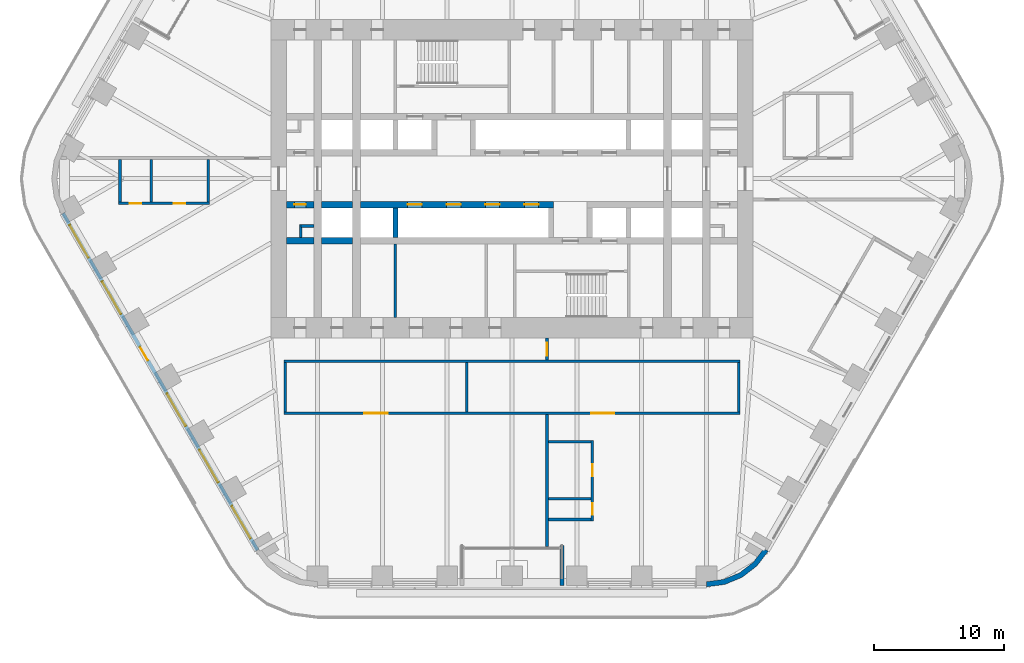
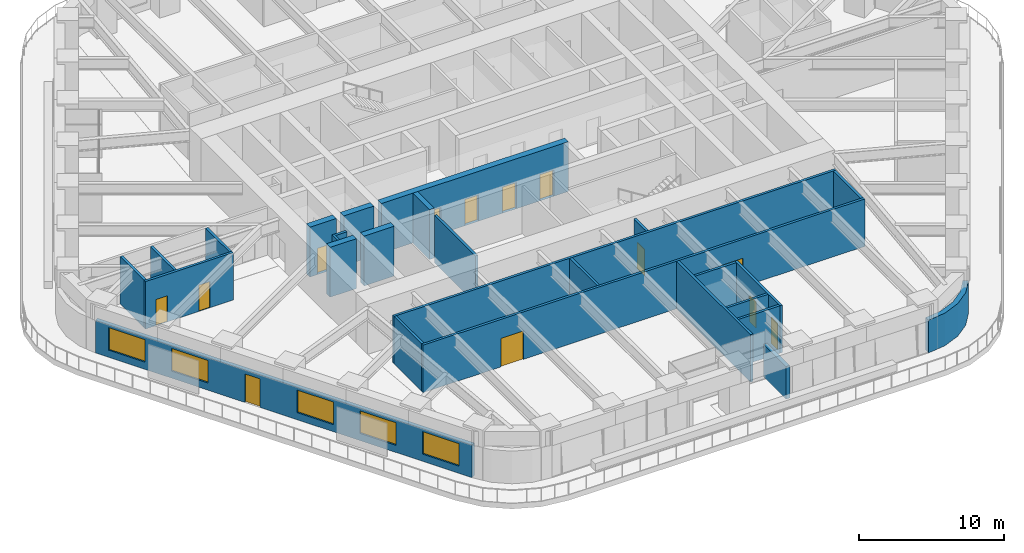
# One storey, part 17 of 24: 27 walls, 13 doors, 5 windows, 18 openings.
"""IFC4 building model written with IfcOpenShell, lengths in metres."""

import ifcopenshell
import ifcopenshell.guid

model = None  # the IFC model being written
_history = None  # IfcOwnerHistory: only IFC2X3 demands one
_inside = {}  # id of a spatial element -> (the spatial element, [elements in it])
_under = {}  # id of a project, library or spatial element -> (it, [spatial elements below it])
_declared = {}  # id of a project -> (the project, [libraries it declares])
_typed = {}  # id of a type object -> (the type object, [elements of that type])
_made_of = {}  # id of a material, layer set ... -> (it, [elements and type objects made of it])


def new_model(schema):
    """Start an empty IFC model of exactly this schema.

    Asked for "IFC4X3", IfcOpenShell would pick the latest addendum, in which some entities
    have other attributes; the version numbers below select the first issue.
    IFC2X3 requires an IfcOwnerHistory on every rooted entity: one is made here for all.
    """
    global model, _history
    if schema == "IFC4X3":
        model = ifcopenshell.file(schema_version=(4, 3, 0, 0))
    else:
        model = ifcopenshell.file(schema=schema)
    _inside.clear()
    _under.clear()
    _declared.clear()
    _typed.clear()
    _made_of.clear()
    _history = None
    if model.schema == "IFC2X3":
        org = make("IfcOrganization", Name="unknown")
        user = make(
            "IfcPersonAndOrganization",
            ThePerson=make("IfcPerson", FamilyName="unknown"),
            TheOrganization=org,
        )
        app = make(
            "IfcApplication",
            ApplicationDeveloper=org,
            Version="unknown",
            ApplicationFullName="unknown",
            ApplicationIdentifier="unknown",
        )
        _history = make(
            "IfcOwnerHistory",
            OwningUser=user,
            OwningApplication=app,
            ChangeAction="ADDED",
            CreationDate=0,
        )
    return model


def make(cls, **values):
    """One entity of the class cls with the attributes given. An attribute that is None is left unset."""
    return model.create_entity(
        cls, **{name: value for name, value in values.items() if value is not None}
    )


def rooted(cls, **values):
    """An entity with a GlobalId (a new one), such as an element, a storey or a relation."""
    return make(cls, GlobalId=ifcopenshell.guid.new(), OwnerHistory=_history, **values)


def si_unit(unit_type, name, prefix=None):
    """IfcSIUnit, for example si_unit("LENGTHUNIT", "METRE", prefix="MILLI")."""
    return make("IfcSIUnit", UnitType=unit_type, Prefix=prefix, Name=name)


def assignment(units):
    """IfcUnitAssignment: the units of a project."""
    return None if units is None else make("IfcUnitAssignment", Units=units)


def point(xyz):
    """IfcCartesianPoint."""
    return None if xyz is None else make("IfcCartesianPoint", Coordinates=xyz)


def direction(xyz):
    """IfcDirection."""
    return None if xyz is None else make("IfcDirection", DirectionRatios=xyz)


def frame(location, z_axis=None, x_axis=None):
    """IfcAxis2Placement3D, a coordinate frame: its origin and axes. An axis left out is left unset."""
    return make(
        "IfcAxis2Placement3D",
        Location=point(location),
        Axis=direction(z_axis),
        RefDirection=direction(x_axis),
    )


def frame_2d(location, x_axis=None):
    """IfcAxis2Placement2D, a coordinate frame in the plane: its origin and x axis."""
    return make(
        "IfcAxis2Placement2D", Location=point(location), RefDirection=direction(x_axis)
    )


def origin():
    """The frame at (0, 0, 0) with its axes left unset."""
    return frame((0.0, 0.0, 0.0))


def place(relative_to, where):
    """IfcLocalPlacement: puts the frame where relative to a parent placement (None: the world)."""
    return make(
        "IfcLocalPlacement", PlacementRelTo=relative_to, RelativePlacement=where
    )


def context(
    kind, dimensions, precision=None, world=None, true_north=None, identifier=None
):
    """IfcGeometricRepresentationContext, for example the 3D "Model" context."""
    return make(
        "IfcGeometricRepresentationContext",
        ContextIdentifier=identifier,
        ContextType=kind,
        CoordinateSpaceDimension=dimensions,
        Precision=precision,
        WorldCoordinateSystem=world,
        TrueNorth=true_north,
    )


def subcontext(parent, identifier, kind, view, scale=None):
    """IfcGeometricRepresentationSubContext, for example "Body" below "Model"."""
    return make(
        "IfcGeometricRepresentationSubContext",
        ContextIdentifier=identifier,
        ContextType=kind,
        ParentContext=parent,
        TargetScale=scale,
        TargetView=view,
    )


def project(units=None, contexts=None):
    """IfcProject with its units and contexts."""
    return rooted(
        "IfcProject",
        Name="project",
        RepresentationContexts=contexts,
        UnitsInContext=assignment(units),
    )


def spatial(cls, under=None, at=None, **own):
    """A site, building, storey or space (cls), placed at a placement, below another one or the project."""
    s = rooted(cls, ObjectPlacement=at, **own)
    if under is not None:
        _under.setdefault(under.id(), (under, []))[1].append(s)
    return s


def polyline(points):
    """IfcPolyline through the points."""
    return make("IfcPolyline", Points=[point(p) for p in points])


def profile(cls, at=None, kind="AREA", **sizes):
    """A parametric profile (cls). Its sizes go by their IFC names, for example OverallWidth=200.0."""
    return make(cls, ProfileType=kind, Position=at, **sizes)


def rectangle(**sizes):
    """IfcRectangleProfileDef."""
    return profile("IfcRectangleProfileDef", **sizes)


def outline(outer, holes=None, kind="AREA"):
    """IfcArbitraryClosedProfileDef: a profile drawn as a closed curve; with holes, ...WithVoids."""
    if holes is None:
        return make("IfcArbitraryClosedProfileDef", ProfileType=kind, OuterCurve=outer)
    return make(
        "IfcArbitraryProfileDefWithVoids",
        ProfileType=kind,
        OuterCurve=outer,
        InnerCurves=holes,
    )


def extrude(swept, where, along, depth):
    """IfcExtrudedAreaSolid: the profile swept, set in the frame where, extruded along a direction by depth."""
    return make(
        "IfcExtrudedAreaSolid",
        SweptArea=swept,
        Position=where,
        ExtrudedDirection=direction(along),
        Depth=depth,
    )


def shape(context_of_items, identifier, shape_type, items):
    """IfcShapeRepresentation: the items that make up one representation, for example the "Body"."""
    return make(
        "IfcShapeRepresentation",
        ContextOfItems=context_of_items,
        RepresentationIdentifier=identifier,
        RepresentationType=shape_type,
        Items=items,
    )


def material(Name=None, Category=None):
    """IfcMaterial."""
    return make("IfcMaterial", Name=Name, Category=Category)


def layer(
    of_material, thickness, ventilated=None, Name=None, Category=None, Priority=None
):
    """IfcMaterialLayer: one layer of a wall or slab, of a material (None: an air gap)."""
    return make(
        "IfcMaterialLayer",
        Material=of_material,
        LayerThickness=thickness,
        IsVentilated=ventilated,
        Name=Name,
        Category=Category,
        Priority=Priority,
    )


def layer_set(layers, Name=None):
    """IfcMaterialLayerSet."""
    return make("IfcMaterialLayerSet", MaterialLayers=layers, LayerSetName=Name)


def made_of(thing, what):
    """Note that an element or type object is made of a material, layer set ...; save() writes the relation."""
    if what is not None:
        _made_of.setdefault(what.id(), (what, []))[1].append(thing)
    return thing


def type_object(cls, material=None, **own):
    """A type object (cls), such as IfcWallType, which elements share."""
    return made_of(rooted(cls, **own), material)


def element(
    cls,
    number,
    at=None,
    inside=None,
    cuts=None,
    type_object=None,
    material=None,
    context=None,
    identifier="Body",
    shape_type=None,
    held_by="IfcProductDefinitionShape",
    body=None,
    shapes=None,
    **own,
):
    """One element of the class cls, such as IfcWall. Its Tag is "e" and its number.

    at: its placement. inside: the storey or other place that contains it. cuts: it is an
    opening in that element (IfcRelVoidsElement). A single representation is given by context,
    identifier, shape_type and body (its items); several are given by shapes. held_by: the class
    of the entity that holds the representations. save() writes the other relations.
    """
    e = rooted(cls, Tag="e%d" % number, ObjectPlacement=at, **own)
    if body is not None:
        shapes = [shape(context, identifier, shape_type, body)]
    if shapes is not None:
        e.Representation = make(held_by, Representations=shapes)
    if inside is not None:
        _inside.setdefault(inside.id(), (inside, []))[1].append(e)
    if cuts is not None:
        rooted(
            "IfcRelVoidsElement", RelatingBuildingElement=cuts, RelatedOpeningElement=e
        )
    if type_object is not None:
        _typed.setdefault(type_object.id(), (type_object, []))[1].append(e)
    return made_of(e, material)


def fill(opening, filler):
    """IfcRelFillsElement: the door or window that sits in an opening."""
    return rooted(
        "IfcRelFillsElement",
        RelatingOpeningElement=opening,
        RelatedBuildingElement=filler,
    )


def aggregate(whole, parts):
    """IfcRelAggregates: a whole, such as a stair, and the parts it consists of."""
    return rooted("IfcRelAggregates", RelatingObject=whole, RelatedObjects=parts)


def save(model, path):
    """Write the relations noted so far, then the file.

    IfcRelAggregates (storeys below a building ...), IfcRelContainedInSpatialStructure (elements
    in a storey), IfcRelDefinesByType, IfcRelAssociatesMaterial and IfcRelDeclares: one each for
    every whole, place, type object, material and project.
    """
    for whole, parts in _under.values():
        aggregate(whole, parts)
    for where, things in _inside.values():
        rooted(
            "IfcRelContainedInSpatialStructure",
            RelatedElements=things,
            RelatingStructure=where,
        )
    for kind, things in _typed.values():
        rooted("IfcRelDefinesByType", RelatedObjects=things, RelatingType=kind)
    for what, things in _made_of.values():
        rooted("IfcRelAssociatesMaterial", RelatedObjects=things, RelatingMaterial=what)
    for by, libraries in _declared.values():
        rooted("IfcRelDeclares", RelatingContext=by, RelatedDefinitions=libraries)
    model.write(path)


model = new_model("IFC4")

# Units and contexts
model_context = context("Model", 3, precision=1e-05, world=origin(), true_north=direction((0.0, 1.0)))
body_context = subcontext(model_context, "Body", "Model", "MODEL_VIEW")
ifc_project = project(units=[si_unit("LENGTHUNIT", "METRE"), si_unit("AREAUNIT", "SQUARE_METRE"), si_unit("VOLUMEUNIT", "CUBIC_METRE"), si_unit("PLANEANGLEUNIT", "RADIAN"), si_unit("MASSUNIT", "GRAM", prefix="KILO")], contexts=[model_context])

# Site, building, storey
site_placement = place(None, origin())
site = spatial("IfcSite", under=ifc_project, at=site_placement, CompositionType="ELEMENT")
building_placement = place(site_placement, origin())
building = spatial("IfcBuilding", under=site, at=building_placement, Name="Tarfa Lantern Tower", CompositionType="ELEMENT")
storey_placement = place(building_placement, frame((0.0, 0.0, 148.89990234375)))
storey = spatial("IfcBuildingStorey", under=building, at=storey_placement, Name="L33", CompositionType="ELEMENT", Elevation=148.89990234375)

# Wall, openings, door, windows
ifc_material_1 = material(Name="Limestone cladding on blockwork", Category="masonry")
ifc_layer_1 = layer(ifc_material_1, 0.300048828125)
ifc_layer_set_1 = layer_set([ifc_layer_1], Name="EW1 STONE-CLAD WALL 300")
wall_type_1 = type_object("IfcWallType", Name="EW1 STONE-CLAD WALL 300", PredefinedType="SOLIDWALL", material=ifc_layer_set_1)
wall_1_placement = place(storey_placement, frame((-34.655517578125, -2.675048828125, 0.0), z_axis=(0.0, 0.0, 1.0), x_axis=(0.500003084452, -0.866023622968, 0.0)))
wall_1 = element("IfcWall", 1, at=wall_1_placement, inside=storey, type_object=wall_type_1, Name="Stone wall SW", PredefinedType="SOLIDWALL", context=body_context, shape_type="SweptSolid", body=[
    extrude(rectangle(XDim=30.022216796875, YDim=0.300048828125, at=frame_2d((15.01123046875, 0.0))), origin(), (0.0, 0.0, 1.0), 2.75),
])
opening_1_placement = place(wall_1_placement, frame((1.0517578125, 0.0, 0.60009765625)))
opening_1 = element("IfcOpeningElement", 2, at=opening_1_placement, cuts=wall_1, Name="Opening W9", PredefinedType="OPENING", context=body_context, shape_type="SweptSolid", body=[
    extrude(rectangle(XDim=2.89990234375, YDim=1.89990234375, at=frame_2d((1.449951171875, 0.949951171875))), frame((0.0, 0.159912109375, 0.0), z_axis=(0.0, -1.0, 0.0), x_axis=(1.0, 0.0, 0.0)), (0.0, 0.0, 1.0), 0.320068359375),
])
opening_2_placement = place(wall_1_placement, frame((6.0556640625, 0.0, 0.60009765625)))
opening_2 = element("IfcOpeningElement", 3, at=opening_2_placement, cuts=wall_1, Name="Opening W9", PredefinedType="OPENING", context=body_context, shape_type="SweptSolid", body=[
    extrude(rectangle(XDim=2.89990234375, YDim=1.89990234375, at=frame_2d((1.449951171875, 0.949951171875))), frame((0.0, 0.159912109375, 0.0), z_axis=(0.0, -1.0, 0.0), x_axis=(1.0, 0.0, 0.0)), (0.0, 0.0, 1.0), 0.320068359375),
])
opening_3_placement = place(wall_1_placement, frame((11.9091796875, 0.0, 0.0)))
opening_3 = element("IfcOpeningElement", 4, at=opening_3_placement, cuts=wall_1, Name="Opening D50", PredefinedType="OPENING", context=body_context, shape_type="SweptSolid", body=[
    extrude(rectangle(XDim=1.199951171875, YDim=2.39990234375, at=frame_2d((0.60009765625, 1.199951171875))), frame((0.0, 0.159912109375, 0.0), z_axis=(0.0, -1.0, 0.0), x_axis=(1.0, 0.0, 0.0)), (0.0, 0.0, 1.0), 0.320068359375),
])
opening_4_placement = place(wall_1_placement, frame((16.06298828125, 0.0, 0.60009765625)))
opening_4 = element("IfcOpeningElement", 5, at=opening_4_placement, cuts=wall_1, Name="Opening W9", PredefinedType="OPENING", context=body_context, shape_type="SweptSolid", body=[
    extrude(rectangle(XDim=2.89990234375, YDim=1.89990234375, at=frame_2d((1.449951171875, 0.949951171875))), frame((0.0, 0.159912109375, 0.0), z_axis=(0.0, -1.0, 0.0), x_axis=(1.0, 0.0, 0.0)), (0.0, 0.0, 1.0), 0.320068359375),
])
opening_5_placement = place(wall_1_placement, frame((21.066650390625, 0.0, 0.60009765625)))
opening_5 = element("IfcOpeningElement", 6, at=opening_5_placement, cuts=wall_1, Name="Opening W9", PredefinedType="OPENING", context=body_context, shape_type="SweptSolid", body=[
    extrude(rectangle(XDim=2.89990234375, YDim=1.89990234375, at=frame_2d((1.449951171875, 0.949951171875))), frame((0.0, 0.159912109375, 0.0), z_axis=(0.0, -1.0, 0.0), x_axis=(1.0, 0.0, 0.0)), (0.0, 0.0, 1.0), 0.320068359375),
])
opening_6_placement = place(wall_1_placement, frame((26.0703125, 0.0, 0.60009765625)))
opening_6 = element("IfcOpeningElement", 7, at=opening_6_placement, cuts=wall_1, Name="Opening W9", PredefinedType="OPENING", context=body_context, shape_type="SweptSolid", body=[
    extrude(rectangle(XDim=2.89990234375, YDim=1.89990234375, at=frame_2d((1.449951171875, 0.949951171875))), frame((0.0, 0.159912109375, 0.0), z_axis=(0.0, -1.0, 0.0), x_axis=(1.0, 0.0, 0.0)), (0.0, 0.0, 1.0), 0.320068359375),
])
ifc_material_2 = material(Name="Aluminium framed glazed door", Category="aluminium")
door_type_1 = type_object("IfcDoorType", Name="BE3 BALCONY DOOR 1200x2400", OperationType="SINGLE_SWING_RIGHT", PredefinedType="DOOR", material=ifc_material_2)
door_1_placement = place(opening_3_placement, origin())
door_1 = element("IfcDoor", 8, at=door_1_placement, inside=storey, type_object=door_type_1, Name="Balcony door SW", OperationType="SINGLE_SWING_RIGHT", OverallHeight=2.39990234375, OverallWidth=1.199951171875, PredefinedType="DOOR", context=body_context, shape_type="SweptSolid", body=[
    extrude(rectangle(XDim=1.199951171875, YDim=2.39990234375, at=frame_2d((0.60009765625, 1.199951171875))), frame((0.0, 0.02490234375, 0.0), z_axis=(0.0, -1.0, 0.0), x_axis=(1.0, 0.0, 0.0)), (0.0, 0.0, 1.0), 0.050048828125),
])
fill(opening_3, door_1)
ifc_material_3 = material(Name="Aluminium frame, double glazed", Category="aluminium")
window_type = type_object("IfcWindowType", Name="W9 FULL-HEIGHT GLAZING 2900x1900", PartitioningType="SINGLE_PANEL", PredefinedType="WINDOW", material=ifc_material_3)
window_1_placement = place(opening_1_placement, origin())
window_1 = element("IfcWindow", 9, at=window_1_placement, inside=storey, type_object=window_type, Name="Window SW 1", OverallHeight=1.89990234375, OverallWidth=2.89990234375, PartitioningType="SINGLE_PANEL", PredefinedType="WINDOW", context=body_context, shape_type="SweptSolid", body=[
    extrude(rectangle(XDim=2.89990234375, YDim=1.89990234375, at=frame_2d((1.449951171875, 0.949951171875))), frame((0.0, 0.030029296875, 0.0), z_axis=(0.0, -1.0, 0.0), x_axis=(1.0, 0.0, 0.0)), (0.0, 0.0, 1.0), 0.06005859375),
])
fill(opening_1, window_1)
window_2_placement = place(opening_2_placement, origin())
window_2 = element("IfcWindow", 10, at=window_2_placement, inside=storey, type_object=window_type, Name="Window SW 2", OverallHeight=1.89990234375, OverallWidth=2.89990234375, PartitioningType="SINGLE_PANEL", PredefinedType="WINDOW", context=body_context, shape_type="SweptSolid", body=[
    extrude(rectangle(XDim=2.89990234375, YDim=1.89990234375, at=frame_2d((1.449951171875, 0.949951171875))), frame((0.0, 0.030029296875, 0.0), z_axis=(0.0, -1.0, 0.0), x_axis=(1.0, 0.0, 0.0)), (0.0, 0.0, 1.0), 0.06005859375),
])
fill(opening_2, window_2)
window_3_placement = place(opening_4_placement, origin())
window_3 = element("IfcWindow", 11, at=window_3_placement, inside=storey, type_object=window_type, Name="Window SW 4", OverallHeight=1.89990234375, OverallWidth=2.89990234375, PartitioningType="SINGLE_PANEL", PredefinedType="WINDOW", context=body_context, shape_type="SweptSolid", body=[
    extrude(rectangle(XDim=2.89990234375, YDim=1.89990234375, at=frame_2d((1.449951171875, 0.949951171875))), frame((0.0, 0.030029296875, 0.0), z_axis=(0.0, -1.0, 0.0), x_axis=(1.0, 0.0, 0.0)), (0.0, 0.0, 1.0), 0.06005859375),
])
fill(opening_4, window_3)
window_4_placement = place(opening_5_placement, origin())
window_4 = element("IfcWindow", 12, at=window_4_placement, inside=storey, type_object=window_type, Name="Window SW 5", OverallHeight=1.89990234375, OverallWidth=2.89990234375, PartitioningType="SINGLE_PANEL", PredefinedType="WINDOW", context=body_context, shape_type="SweptSolid", body=[
    extrude(rectangle(XDim=2.89990234375, YDim=1.89990234375, at=frame_2d((1.449951171875, 0.949951171875))), frame((0.0, 0.030029296875, 0.0), z_axis=(0.0, -1.0, 0.0), x_axis=(1.0, 0.0, 0.0)), (0.0, 0.0, 1.0), 0.06005859375),
])
fill(opening_5, window_4)
window_5_placement = place(opening_6_placement, origin())
window_5 = element("IfcWindow", 13, at=window_5_placement, inside=storey, type_object=window_type, Name="Window SW 6", OverallHeight=1.89990234375, OverallWidth=2.89990234375, PartitioningType="SINGLE_PANEL", PredefinedType="WINDOW", context=body_context, shape_type="SweptSolid", body=[
    extrude(rectangle(XDim=2.89990234375, YDim=1.89990234375, at=frame_2d((1.449951171875, 0.949951171875))), frame((0.0, 0.030029296875, 0.0), z_axis=(0.0, -1.0, 0.0), x_axis=(1.0, 0.0, 0.0)), (0.0, 0.0, 1.0), 0.06005859375),
])
fill(opening_6, window_5)

# Walls
wall_2_placement = place(storey_placement, frame((3.853759765625, -31.39990234375, 0.0), z_axis=(0.0, 0.0, 1.0), x_axis=(0.0, 1.0, 0.0)))
element("IfcWall", 14, at=wall_2_placement, inside=storey, type_object=wall_type_1, Name="Loggia return S 2", PredefinedType="SOLIDWALL", context=body_context, shape_type="SweptSolid", body=[
    extrude(rectangle(XDim=3.099853515625, YDim=0.300048828125, at=frame_2d((1.5498046875, 0.0))), origin(), (0.0, 0.0, 1.0), 2.75),
])
ifc_layer_2 = layer(ifc_material_1, 0.39990234375)
ifc_layer_set_2 = layer_set([ifc_layer_2], Name="EW2 CURVED STONE CORNER 400")
wall_type_2 = type_object("IfcWallType", Name="EW2 CURVED STONE CORNER 400", PredefinedType="SOLIDWALL", material=ifc_layer_set_2)
wall_3_placement = place(storey_placement, origin())
element("IfcWall", 15, at=wall_3_placement, inside=storey, type_object=wall_type_2, Name="Stone corner S-SE", PredefinedType="SOLIDWALL", context=body_context, shape_type="SweptSolid", body=[
    extrude(outline(polyline([(15.010986328125, -31.5), (16.4345703125, -31.3125), (17.760986328125, -30.76318359375), (18.900146484375, -29.88916015625), (19.774169921875, -28.75), (19.427734375, -28.550048828125), (18.617431640625, -29.606201171875), (17.56103515625, -30.416748046875), (16.3310546875, -30.92626953125), (15.010986328125, -31.10009765625), (15.010986328125, -31.5)])), origin(), (0.0, 0.0, 1.0), 2.75),
])
ifc_material_4 = material(Name="Concrete blockwork", Category="masonry")
ifc_layer_3 = layer(ifc_material_4, 0.199951171875)
ifc_layer_set_3 = layer_set([ifc_layer_3], Name="IW1 BLOCKWORK PARTITION 200 EI 120")
wall_type_3 = type_object("IfcWallType", Name="IW1 BLOCKWORK PARTITION 200 EI 120", PredefinedType="PARTITIONING", material=ifc_layer_set_3)
wall_4_placement = place(storey_placement, frame((-9.0, -5.050048828125, 0.0), z_axis=(0.0, 0.0, 1.0), x_axis=(0.0, -1.0, 0.0)))
element("IfcWall", 16, at=wall_4_placement, inside=storey, type_object=wall_type_3, Name="Core partition", PredefinedType="PARTITIONING", context=body_context, shape_type="SweptSolid", body=[
    extrude(rectangle(XDim=5.64990234375, YDim=0.199951171875, at=frame_2d((2.824951171875, 0.0))), origin(), (0.0, 0.0, 1.0), 4.0),
])
for number, where, z_axis, x_axis, name in (
    (17, (-15.300048828125, -3.64990234375, 0.0), (0.0, 0.0, 1.0), (-1.0, 0.0, 0.0), "Core partition"),
    (18, (-16.300048828125, -3.550048828125, 0.0), (0.0, 0.0, 1.0), (0.0, -1.0, 0.0), "Core partition"),
):
    element("IfcWall", number, at=place(storey_placement, frame(where, z_axis=z_axis, x_axis=x_axis)), inside=storey, type_object=wall_type_3, Name=name, PredefinedType="PARTITIONING", context=body_context, shape_type="SweptSolid", body=[
        extrude(rectangle(XDim=1.0, YDim=0.199951171875, at=frame_2d((0.5, 0.0))), origin(), (0.0, 0.0, 1.0), 4.0),
    ])
ifc_material_5 = material(Name="Gypsum board on steel studs", Category="steel")
ifc_layer_4 = layer(ifc_material_5, 0.2099609375)
ifc_layer_set_4 = layer_set([ifc_layer_4], Name="IW2 ACOUSTIC PARTITION 200")
wall_type_4 = type_object("IfcWallType", Name="IW2 ACOUSTIC PARTITION 200", PredefinedType="PARTITIONING", material=ifc_layer_set_4)
wall_5_placement = place(storey_placement, frame((17.60009765625, -14.10009765625, 0.0), z_axis=(0.0, 0.0, 1.0), x_axis=(-1.0, 0.0, 0.0)))
element("IfcWall", 19, at=wall_5_placement, inside=storey, type_object=wall_type_4, Name="Partition", PredefinedType="PARTITIONING", context=body_context, shape_type="SweptSolid", body=[
    extrude(rectangle(XDim=35.2001953125, YDim=0.199951171875, at=frame_2d((17.60009765625, 0.0))), origin(), (0.0, 0.0, 1.0), 4.0),
])

# Wall, openings, doors
wall_6_placement = place(storey_placement, frame((17.60009765625, -18.10009765625, 0.0), z_axis=(0.0, 0.0, 1.0), x_axis=(-1.0, 0.0, 0.0)))
wall_6 = element("IfcWall", 20, at=wall_6_placement, inside=storey, type_object=wall_type_4, Name="Partition", PredefinedType="PARTITIONING", context=body_context, shape_type="SweptSolid", body=[
    extrude(rectangle(XDim=35.2001953125, YDim=0.199951171875, at=frame_2d((17.60009765625, 0.0))), origin(), (0.0, 0.0, 1.0), 4.0),
])
opening_7_placement = place(wall_6_placement, frame((9.699951171875, 0.0, 0.0)))
opening_7 = element("IfcOpeningElement", 21, at=opening_7_placement, cuts=wall_6, Name="Opening D39", PredefinedType="OPENING", context=body_context, shape_type="SweptSolid", body=[
    extrude(rectangle(XDim=1.800048828125, YDim=2.39990234375, at=frame_2d((0.89990234375, 1.199951171875))), frame((0.0, 0.10986328125, 0.0), z_axis=(0.0, -1.0, 0.0), x_axis=(1.0, 0.0, 0.0)), (0.0, 0.0, 1.0), 0.219970703125),
])
opening_8_placement = place(wall_6_placement, frame((27.199951171875, 0.0, 0.0)))
opening_8 = element("IfcOpeningElement", 22, at=opening_8_placement, cuts=wall_6, Name="Opening D40", PredefinedType="OPENING", context=body_context, shape_type="SweptSolid", body=[
    extrude(rectangle(XDim=1.800048828125, YDim=2.39990234375, at=frame_2d((0.89990234375, 1.199951171875))), frame((0.0, 0.10986328125, 0.0), z_axis=(0.0, -1.0, 0.0), x_axis=(1.0, 0.0, 0.0)), (0.0, 0.0, 1.0), 0.219970703125),
])
ifc_material_6 = material(Name="Timber door", Category="wood")
door_type_2 = type_object("IfcDoorType", Name="DR2 ROOM DOOR 1800x2400", OperationType="DOUBLE_DOOR_SINGLE_SWING", PredefinedType="DOOR", material=ifc_material_6)
door_2_placement = place(opening_7_placement, frame((1.800048828125, 0.0, 0.0), z_axis=(0.0, 0.0, 1.0), x_axis=(-1.0, 0.0, 0.0)))
door_2 = element("IfcDoor", 23, at=door_2_placement, inside=storey, type_object=door_type_2, Name="Pantry door", OperationType="DOUBLE_DOOR_SINGLE_SWING", OverallHeight=2.39990234375, OverallWidth=1.800048828125, PredefinedType="DOOR", context=body_context, shape_type="SweptSolid", body=[
    extrude(rectangle(XDim=1.800048828125, YDim=2.39990234375, at=frame_2d((0.89990234375, 1.199951171875))), frame((0.0, 0.02490234375, 0.0), z_axis=(0.0, -1.0, 0.0), x_axis=(1.0, 0.0, 0.0)), (0.0, 0.0, 1.0), 0.050048828125),
])
fill(opening_7, door_2)
door_3_placement = place(opening_8_placement, frame((1.800048828125, 0.0, 0.0), z_axis=(0.0, 0.0, 1.0), x_axis=(-1.0, 0.0, 0.0)))
door_3 = element("IfcDoor", 24, at=door_3_placement, inside=storey, type_object=door_type_2, Name="Print room door", OperationType="DOUBLE_DOOR_SINGLE_SWING", OverallHeight=2.39990234375, OverallWidth=1.800048828125, PredefinedType="DOOR", context=body_context, shape_type="SweptSolid", body=[
    extrude(rectangle(XDim=1.800048828125, YDim=2.39990234375, at=frame_2d((0.89990234375, 1.199951171875))), frame((0.0, 0.02490234375, 0.0), z_axis=(0.0, -1.0, 0.0), x_axis=(1.0, 0.0, 0.0)), (0.0, 0.0, 1.0), 0.050048828125),
])
fill(opening_8, door_3)

# Walls
for number, where, z_axis, x_axis, name in (
    (25, (17.5, -14.199951171875, 0.0), (0.0, 0.0, 1.0), (0.0, -1.0, 0.0), "Partition"),
    (26, (-3.5, -14.199951171875, 0.0), (0.0, 0.0, 1.0), (0.0, -1.0, 0.0), "Partition"),
    (27, (-17.5, -14.199951171875, 0.0), (0.0, 0.0, 1.0), (0.0, -1.0, 0.0), "Partition"),
):
    element("IfcWall", number, at=place(storey_placement, frame(where, z_axis=z_axis, x_axis=x_axis)), inside=storey, type_object=wall_type_4, Name=name, PredefinedType="PARTITIONING", context=body_context, shape_type="SweptSolid", body=[
        extrude(rectangle(XDim=3.800048828125, YDim=0.199951171875, at=frame_2d((1.89990234375, 0.0))), origin(), (0.0, 0.0, 1.0), 4.0),
    ])

# Wall, opening, door
wall_7_placement = place(storey_placement, frame((2.699951171875, -12.300048828125, 0.0), z_axis=(0.0, 0.0, 1.0), x_axis=(0.0, -1.0, 0.0)))
wall_7 = element("IfcWall", 28, at=wall_7_placement, inside=storey, type_object=wall_type_4, Name="Partition", PredefinedType="PARTITIONING", context=body_context, shape_type="SweptSolid", body=[
    extrude(rectangle(XDim=1.699951171875, YDim=0.199951171875, at=frame_2d((0.85009765625, 0.0))), origin(), (0.0, 0.0, 1.0), 4.0),
])
opening_9_placement = place(wall_7_placement, frame((0.35009765625, 0.0, 0.0)))
opening_9 = element("IfcOpeningElement", 29, at=opening_9_placement, cuts=wall_7, Name="Opening D46", PredefinedType="OPENING", context=body_context, shape_type="SweptSolid", body=[
    extrude(rectangle(XDim=1.0, YDim=2.199951171875, at=frame_2d((0.5, 1.10009765625))), frame((0.0, 0.10986328125, 0.0), z_axis=(0.0, -1.0, 0.0), x_axis=(1.0, 0.0, 0.0)), (0.0, 0.0, 1.0), 0.219970703125),
])
door_type_3 = type_object("IfcDoorType", Name="DR1 ROOM DOOR 1000x2200", OperationType="SINGLE_SWING_LEFT", PredefinedType="DOOR", material=ifc_material_6)
door_4_placement = place(opening_9_placement, origin())
door_4 = element("IfcDoor", 30, at=door_4_placement, inside=storey, type_object=door_type_3, Name="Zone door", OperationType="SINGLE_SWING_LEFT", OverallHeight=2.199951171875, OverallWidth=1.0, PredefinedType="DOOR", context=body_context, shape_type="SweptSolid", body=[
    extrude(rectangle(XDim=1.0, YDim=2.199951171875, at=frame_2d((0.5, 1.10009765625))), frame((0.0, 0.02490234375, 0.0), z_axis=(0.0, -1.0, 0.0), x_axis=(1.0, 0.0, 0.0)), (0.0, 0.0, 1.0), 0.050048828125),
])
fill(opening_9, door_4)

# Wall
wall_8_placement = place(storey_placement, frame((2.699951171875, -18.199951171875, 0.0), z_axis=(0.0, 0.0, 1.0), x_axis=(0.0, -1.0, 0.0)))
element("IfcWall", 31, at=wall_8_placement, inside=storey, type_object=wall_type_4, Name="Partition", PredefinedType="PARTITIONING", context=body_context, shape_type="SweptSolid", body=[
    extrude(rectangle(XDim=10.199951171875, YDim=0.199951171875, at=frame_2d((5.10009765625, 0.0))), origin(), (0.0, 0.0, 1.0), 4.0),
])

# Wall, openings, doors
wall_9_placement = place(storey_placement, frame((6.199951171875, -20.199951171875, 0.0), z_axis=(0.0, 0.0, 1.0), x_axis=(0.0, -1.0, 0.0)))
wall_9 = element("IfcWall", 32, at=wall_9_placement, inside=storey, type_object=wall_type_4, Name="Partition", PredefinedType="PARTITIONING", context=body_context, shape_type="SweptSolid", body=[
    extrude(rectangle(XDim=6.199951171875, YDim=0.199951171875, at=frame_2d((3.10009765625, 0.0))), origin(), (0.0, 0.0, 1.0), 4.0),
])
opening_10_placement = place(wall_9_placement, frame((1.85009765625, 0.0, 0.0)))
opening_10 = element("IfcOpeningElement", 33, at=opening_10_placement, cuts=wall_9, Name="Opening D41", PredefinedType="OPENING", context=body_context, shape_type="SweptSolid", body=[
    extrude(rectangle(XDim=0.89990234375, YDim=2.199951171875, at=frame_2d((0.449951171875, 1.10009765625))), frame((0.0, 0.10986328125, 0.0), z_axis=(0.0, -1.0, 0.0), x_axis=(1.0, 0.0, 0.0)), (0.0, 0.0, 1.0), 0.219970703125),
])
opening_11_placement = place(wall_9_placement, frame((4.85009765625, 0.0, 0.0)))
opening_11 = element("IfcOpeningElement", 34, at=opening_11_placement, cuts=wall_9, Name="Opening D42", PredefinedType="OPENING", context=body_context, shape_type="SweptSolid", body=[
    extrude(rectangle(XDim=0.89990234375, YDim=2.199951171875, at=frame_2d((0.449951171875, 1.10009765625))), frame((0.0, 0.10986328125, 0.0), z_axis=(0.0, -1.0, 0.0), x_axis=(1.0, 0.0, 0.0)), (0.0, 0.0, 1.0), 0.219970703125),
])
door_type_4 = type_object("IfcDoorType", Name="DR3 ROOM DOOR 900x2200", OperationType="SINGLE_SWING_LEFT", PredefinedType="DOOR", material=ifc_material_6)
door_5_placement = place(opening_10_placement, frame((0.89990234375, 0.0, 0.0), z_axis=(0.0, 0.0, 1.0), x_axis=(-1.0, 0.0, 0.0)))
door_5 = element("IfcDoor", 35, at=door_5_placement, inside=storey, type_object=door_type_4, Name="Meeting room door", OperationType="SINGLE_SWING_LEFT", OverallHeight=2.199951171875, OverallWidth=0.89990234375, PredefinedType="DOOR", context=body_context, shape_type="SweptSolid", body=[
    extrude(rectangle(XDim=0.89990234375, YDim=2.199951171875, at=frame_2d((0.449951171875, 1.10009765625))), frame((0.0, 0.02490234375, 0.0), z_axis=(0.0, -1.0, 0.0), x_axis=(1.0, 0.0, 0.0)), (0.0, 0.0, 1.0), 0.050048828125),
])
fill(opening_10, door_5)
door_6_placement = place(opening_11_placement, frame((0.89990234375, 0.0, 0.0), z_axis=(0.0, 0.0, 1.0), x_axis=(-1.0, 0.0, 0.0)))
door_6 = element("IfcDoor", 36, at=door_6_placement, inside=storey, type_object=door_type_4, Name="Phone booth door", OperationType="SINGLE_SWING_RIGHT", OverallHeight=2.199951171875, OverallWidth=0.89990234375, PredefinedType="DOOR", context=body_context, shape_type="SweptSolid", body=[
    extrude(rectangle(XDim=0.89990234375, YDim=2.199951171875, at=frame_2d((0.449951171875, 1.10009765625))), frame((0.0, 0.02490234375, 0.0), z_axis=(0.0, -1.0, 0.0), x_axis=(1.0, 0.0, 0.0)), (0.0, 0.0, 1.0), 0.050048828125),
])
fill(opening_11, door_6)

# Walls
for number, where, z_axis, x_axis, name in (
    (37, (2.800048828125, -20.300048828125, 0.0), (0.0, 0.0, 1.0), (1.0, 0.0, 0.0), "Partition"),
    (38, (2.800048828125, -24.699951171875, 0.0), (0.0, 0.0, 1.0), (1.0, 0.0, 0.0), "Partition"),
    (39, (2.800048828125, -26.300048828125, 0.0), (0.0, 0.0, 1.0), (1.0, 0.0, 0.0), "Partition"),
):
    element("IfcWall", number, at=place(storey_placement, frame(where, z_axis=z_axis, x_axis=x_axis)), inside=storey, type_object=wall_type_4, Name=name, PredefinedType="PARTITIONING", context=body_context, shape_type="SweptSolid", body=[
        extrude(rectangle(XDim=3.300048828125, YDim=0.199951171875, at=frame_2d((1.64990234375, 0.0))), origin(), (0.0, 0.0, 1.0), 4.0),
    ])

# Wall, openings, doors
wall_10_placement = place(storey_placement, frame((-23.35107421875, -1.89990234375, 0.0), z_axis=(0.0, 0.0, 1.0), x_axis=(-1.0, 0.0, 0.0)))
wall_10 = element("IfcWall", 40, at=wall_10_placement, inside=storey, type_object=wall_type_4, Name="Partition", PredefinedType="PARTITIONING", context=body_context, shape_type="SweptSolid", body=[
    extrude(rectangle(XDim=7.0, YDim=0.199951171875, at=frame_2d((3.5, 0.0))), origin(), (0.0, 0.0, 1.0), 4.0),
])
opening_12_placement = place(wall_10_placement, frame((1.85009765625, 0.0, 0.0)))
opening_12 = element("IfcOpeningElement", 41, at=opening_12_placement, cuts=wall_10, Name="Opening D43", PredefinedType="OPENING", context=body_context, shape_type="SweptSolid", body=[
    extrude(rectangle(XDim=0.89990234375, YDim=2.199951171875, at=frame_2d((0.449951171875, 1.10009765625))), frame((0.0, 0.10986328125, 0.0), z_axis=(0.0, -1.0, 0.0), x_axis=(1.0, 0.0, 0.0)), (0.0, 0.0, 1.0), 0.219970703125),
])
opening_13_placement = place(wall_10_placement, frame((5.25, 0.0, 0.0)))
opening_13 = element("IfcOpeningElement", 42, at=opening_13_placement, cuts=wall_10, Name="Opening D44", PredefinedType="OPENING", context=body_context, shape_type="SweptSolid", body=[
    extrude(rectangle(XDim=0.89990234375, YDim=2.199951171875, at=frame_2d((0.449951171875, 1.10009765625))), frame((0.0, 0.10986328125, 0.0), z_axis=(0.0, -1.0, 0.0), x_axis=(1.0, 0.0, 0.0)), (0.0, 0.0, 1.0), 0.219970703125),
])
door_7_placement = place(opening_12_placement, frame((0.89990234375, 0.0, 0.0), z_axis=(0.0, 0.0, 1.0), x_axis=(-1.0, 0.0, 0.0)))
door_7 = element("IfcDoor", 43, at=door_7_placement, inside=storey, type_object=door_type_4, Name="Project room door", OperationType="SINGLE_SWING_LEFT", OverallHeight=2.199951171875, OverallWidth=0.89990234375, PredefinedType="DOOR", context=body_context, shape_type="SweptSolid", body=[
    extrude(rectangle(XDim=0.89990234375, YDim=2.199951171875, at=frame_2d((0.449951171875, 1.10009765625))), frame((0.0, 0.02490234375, 0.0), z_axis=(0.0, -1.0, 0.0), x_axis=(1.0, 0.0, 0.0)), (0.0, 0.0, 1.0), 0.050048828125),
])
fill(opening_12, door_7)
door_8_placement = place(opening_13_placement, frame((0.89990234375, 0.0, 0.0), z_axis=(0.0, 0.0, 1.0), x_axis=(-1.0, 0.0, 0.0)))
door_8 = element("IfcDoor", 44, at=door_8_placement, inside=storey, type_object=door_type_4, Name="Print and copy room door", OperationType="SINGLE_SWING_RIGHT", OverallHeight=2.199951171875, OverallWidth=0.89990234375, PredefinedType="DOOR", context=body_context, shape_type="SweptSolid", body=[
    extrude(rectangle(XDim=0.89990234375, YDim=2.199951171875, at=frame_2d((0.449951171875, 1.10009765625))), frame((0.0, 0.02490234375, 0.0), z_axis=(0.0, -1.0, 0.0), x_axis=(1.0, 0.0, 0.0)), (0.0, 0.0, 1.0), 0.050048828125),
])
fill(opening_13, door_8)

# Walls
for number, where, z_axis, x_axis, name in (
    (45, (-23.450927734375, 1.5, 0.0), (0.0, 0.0, 1.0), (0.0, -1.0, 0.0), "Partition"),
    (46, (-27.85107421875, 1.5, 0.0), (0.0, 0.0, 1.0), (0.0, -1.0, 0.0), "Partition"),
    (47, (-30.2509765625, 1.5, 0.0), (0.0, 0.0, 1.0), (0.0, -1.0, 0.0), "Partition"),
):
    element("IfcWall", number, at=place(storey_placement, frame(where, z_axis=z_axis, x_axis=x_axis)), inside=storey, type_object=wall_type_4, Name=name, PredefinedType="PARTITIONING", context=body_context, shape_type="SweptSolid", body=[
        extrude(rectangle(XDim=3.300048828125, YDim=0.199951171875, at=frame_2d((1.64990234375, 0.0))), origin(), (0.0, 0.0, 1.0), 4.0),
    ])

# Wall, openings, doors
ifc_material_7 = material(Name="Concrete C80/95", Category="concrete")
ifc_layer_5 = layer(ifc_material_7, 0.5)
ifc_layer_set_5 = layer_set([ifc_layer_5], Name="SW5 CORE WALL 500")
wall_type_5 = type_object("IfcWallType", Name="SW5 CORE WALL 500", PredefinedType="SHEAR", material=ifc_layer_set_5)
wall_11_placement = place(storey_placement, frame((3.199951171875, -2.0, 0.0), z_axis=(0.0, 0.0, 1.0), x_axis=(-1.0, 0.0, 0.0)))
wall_11 = element("IfcWall", 48, at=wall_11_placement, inside=storey, type_object=wall_type_5, Name="Core wall lobby east S", PredefinedType="SHEAR", context=body_context, shape_type="SweptSolid", body=[
    extrude(rectangle(XDim=14.89990234375, YDim=0.5, at=frame_2d((7.449951171875, 0.0))), origin(), (0.0, 0.0, 1.0), 4.2001953125),
])
opening_14_placement = place(wall_11_placement, frame((1.14990234375, 0.0, 0.0)))
opening_14 = element("IfcOpeningElement", 49, at=opening_14_placement, cuts=wall_11, Name="Opening LD07", PredefinedType="OPENING", context=body_context, shape_type="SweptSolid", body=[
    extrude(rectangle(XDim=1.10009765625, YDim=2.199951171875, at=frame_2d((0.550048828125, 1.10009765625))), frame((0.0, 0.260009765625, 0.0), z_axis=(0.0, -1.0, 0.0), x_axis=(1.0, 0.0, 0.0)), (0.0, 0.0, 1.0), 0.52001953125),
])
opening_15_placement = place(wall_11_placement, frame((4.14990234375, 0.0, 0.0)))
opening_15 = element("IfcOpeningElement", 50, at=opening_15_placement, cuts=wall_11, Name="Opening LD08", PredefinedType="OPENING", context=body_context, shape_type="SweptSolid", body=[
    extrude(rectangle(XDim=1.10009765625, YDim=2.199951171875, at=frame_2d((0.550048828125, 1.10009765625))), frame((0.0, 0.260009765625, 0.0), z_axis=(0.0, -1.0, 0.0), x_axis=(1.0, 0.0, 0.0)), (0.0, 0.0, 1.0), 0.52001953125),
])
opening_16_placement = place(wall_11_placement, frame((7.14990234375, 0.0, 0.0)))
opening_16 = element("IfcOpeningElement", 51, at=opening_16_placement, cuts=wall_11, Name="Opening LD09", PredefinedType="OPENING", context=body_context, shape_type="SweptSolid", body=[
    extrude(rectangle(XDim=1.10009765625, YDim=2.199951171875, at=frame_2d((0.550048828125, 1.10009765625))), frame((0.0, 0.260009765625, 0.0), z_axis=(0.0, -1.0, 0.0), x_axis=(1.0, 0.0, 0.0)), (0.0, 0.0, 1.0), 0.52001953125),
])
opening_17_placement = place(wall_11_placement, frame((10.14990234375, 0.0, 0.0)))
opening_17 = element("IfcOpeningElement", 52, at=opening_17_placement, cuts=wall_11, Name="Opening LD10", PredefinedType="OPENING", context=body_context, shape_type="SweptSolid", body=[
    extrude(rectangle(XDim=1.10009765625, YDim=2.199951171875, at=frame_2d((0.550048828125, 1.10009765625))), frame((0.0, 0.260009765625, 0.0), z_axis=(0.0, -1.0, 0.0), x_axis=(1.0, 0.0, 0.0)), (0.0, 0.0, 1.0), 0.52001953125),
])
ifc_material_8 = material(Name="Stainless steel lift door", Category="steel")
door_type_5 = type_object("IfcDoorType", Name="LD2 LIFT LANDING DOOR 1100x2200", OperationType="SLIDING_TO_LEFT", PredefinedType="DOOR", material=ifc_material_8)
door_9_placement = place(opening_14_placement, frame((1.10009765625, 0.0, 0.0), z_axis=(0.0, 0.0, 1.0), x_axis=(-1.0, 0.0, 0.0)))
door_9 = element("IfcDoor", 53, at=door_9_placement, inside=storey, type_object=door_type_5, Name="Landing door PB5", OperationType="SLIDING_TO_LEFT", OverallHeight=2.199951171875, OverallWidth=1.10009765625, PredefinedType="DOOR", context=body_context, shape_type="SweptSolid", body=[
    extrude(rectangle(XDim=1.10009765625, YDim=2.199951171875, at=frame_2d((0.550048828125, 1.10009765625))), frame((0.0, 0.02490234375, 0.0), z_axis=(0.0, -1.0, 0.0), x_axis=(1.0, 0.0, 0.0)), (0.0, 0.0, 1.0), 0.050048828125),
])
fill(opening_14, door_9)
door_10_placement = place(opening_15_placement, frame((1.10009765625, 0.0, 0.0), z_axis=(0.0, 0.0, 1.0), x_axis=(-1.0, 0.0, 0.0)))
door_10 = element("IfcDoor", 54, at=door_10_placement, inside=storey, type_object=door_type_5, Name="Landing door PB6", OperationType="SLIDING_TO_LEFT", OverallHeight=2.199951171875, OverallWidth=1.10009765625, PredefinedType="DOOR", context=body_context, shape_type="SweptSolid", body=[
    extrude(rectangle(XDim=1.10009765625, YDim=2.199951171875, at=frame_2d((0.550048828125, 1.10009765625))), frame((0.0, 0.02490234375, 0.0), z_axis=(0.0, -1.0, 0.0), x_axis=(1.0, 0.0, 0.0)), (0.0, 0.0, 1.0), 0.050048828125),
])
fill(opening_15, door_10)
door_11_placement = place(opening_16_placement, frame((1.10009765625, 0.0, 0.0), z_axis=(0.0, 0.0, 1.0), x_axis=(-1.0, 0.0, 0.0)))
door_11 = element("IfcDoor", 55, at=door_11_placement, inside=storey, type_object=door_type_5, Name="Landing door PB7", OperationType="SLIDING_TO_LEFT", OverallHeight=2.199951171875, OverallWidth=1.10009765625, PredefinedType="DOOR", context=body_context, shape_type="SweptSolid", body=[
    extrude(rectangle(XDim=1.10009765625, YDim=2.199951171875, at=frame_2d((0.550048828125, 1.10009765625))), frame((0.0, 0.02490234375, 0.0), z_axis=(0.0, -1.0, 0.0), x_axis=(1.0, 0.0, 0.0)), (0.0, 0.0, 1.0), 0.050048828125),
])
fill(opening_16, door_11)
door_12_placement = place(opening_17_placement, frame((1.10009765625, 0.0, 0.0), z_axis=(0.0, 0.0, 1.0), x_axis=(-1.0, 0.0, 0.0)))
door_12 = element("IfcDoor", 56, at=door_12_placement, inside=storey, type_object=door_type_5, Name="Landing door PB8", OperationType="SLIDING_TO_LEFT", OverallHeight=2.199951171875, OverallWidth=1.10009765625, PredefinedType="DOOR", context=body_context, shape_type="SweptSolid", body=[
    extrude(rectangle(XDim=1.10009765625, YDim=2.199951171875, at=frame_2d((0.550048828125, 1.10009765625))), frame((0.0, 0.02490234375, 0.0), z_axis=(0.0, -1.0, 0.0), x_axis=(1.0, 0.0, 0.0)), (0.0, 0.0, 1.0), 0.050048828125),
])
fill(opening_17, door_12)

# Wall
wall_12_placement = place(storey_placement, frame((-12.300048828125, -2.0, 0.0), z_axis=(0.0, 0.0, 1.0), x_axis=(-1.0, 0.0, 0.0)))
element("IfcWall", 57, at=wall_12_placement, inside=storey, type_object=wall_type_5, Name="Core wall lobby east S", PredefinedType="SHEAR", context=body_context, shape_type="SweptSolid", body=[
    extrude(rectangle(XDim=2.39990234375, YDim=0.5, at=frame_2d((1.199951171875, 0.0))), origin(), (0.0, 0.0, 1.0), 4.2001953125),
])

# Wall, opening, door
wall_13_placement = place(storey_placement, frame((-15.300048828125, -2.0, 0.0), z_axis=(0.0, 0.0, 1.0), x_axis=(-1.0, 0.0, 0.0)))
wall_13 = element("IfcWall", 58, at=wall_13_placement, inside=storey, type_object=wall_type_5, Name="Core wall lobby east S", PredefinedType="SHEAR", context=body_context, shape_type="SweptSolid", body=[
    extrude(rectangle(XDim=2.099853515625, YDim=0.5, at=frame_2d((1.0498046875, 0.0))), origin(), (0.0, 0.0, 1.0), 4.2001953125),
])
opening_18_placement = place(wall_13_placement, frame((0.60009765625, 0.0, 0.0)))
opening_18 = element("IfcOpeningElement", 59, at=opening_18_placement, cuts=wall_13, Name="Opening D18", PredefinedType="OPENING", context=body_context, shape_type="SweptSolid", body=[
    extrude(rectangle(XDim=0.89990234375, YDim=2.199951171875, at=frame_2d((0.449951171875, 1.10009765625))), frame((0.0, 0.260009765625, 0.0), z_axis=(0.0, -1.0, 0.0), x_axis=(1.0, 0.0, 0.0)), (0.0, 0.0, 1.0), 0.52001953125),
])
ifc_material_9 = material(Name="Steel fire door", Category="steel")
door_type_6 = type_object("IfcDoorType", Name="DF6 SERVICE ROOM DOOR 900x2200", OperationType="SINGLE_SWING_LEFT", PredefinedType="DOOR", material=ifc_material_9)
door_13_placement = place(opening_18_placement, origin())
door_13 = element("IfcDoor", 60, at=door_13_placement, inside=storey, type_object=door_type_6, Name="Service room door", OperationType="SINGLE_SWING_LEFT", OverallHeight=2.199951171875, OverallWidth=0.89990234375, PredefinedType="DOOR", context=body_context, shape_type="SweptSolid", body=[
    extrude(rectangle(XDim=0.89990234375, YDim=2.199951171875, at=frame_2d((0.449951171875, 1.10009765625))), frame((0.0, 0.02490234375, 0.0), z_axis=(0.0, -1.0, 0.0), x_axis=(1.0, 0.0, 0.0)), (0.0, 0.0, 1.0), 0.050048828125),
])
fill(opening_18, door_13)

# Walls
wall_14_placement = place(storey_placement, frame((-12.300048828125, -4.800048828125, 0.0), z_axis=(0.0, 0.0, 1.0), x_axis=(-1.0, 0.0, 0.0)))
element("IfcWall", 61, at=wall_14_placement, inside=storey, type_object=wall_type_5, Name="Core wall rear S", PredefinedType="SHEAR", context=body_context, shape_type="SweptSolid", body=[
    extrude(rectangle(XDim=2.39990234375, YDim=0.5, at=frame_2d((1.199951171875, 0.0))), origin(), (0.0, 0.0, 1.0), 4.2001953125),
])
wall_15_placement = place(storey_placement, frame((-15.300048828125, -4.800048828125, 0.0), z_axis=(0.0, 0.0, 1.0), x_axis=(-1.0, 0.0, 0.0)))
element("IfcWall", 62, at=wall_15_placement, inside=storey, type_object=wall_type_5, Name="Core wall rear S", PredefinedType="SHEAR", context=body_context, shape_type="SweptSolid", body=[
    extrude(rectangle(XDim=2.099853515625, YDim=0.5, at=frame_2d((1.0498046875, 0.0))), origin(), (0.0, 0.0, 1.0), 4.2001953125),
])
ifc_layer_6 = layer(ifc_material_7, 0.39990234375)
ifc_layer_set_6 = layer_set([ifc_layer_6], Name="SW6 CORE WALL 400")
wall_type_6 = type_object("IfcWallType", Name="SW6 CORE WALL 400", PredefinedType="SHEAR", material=ifc_layer_set_6)
wall_16_placement = place(storey_placement, frame((-9.0, -2.25, 0.0), z_axis=(0.0, 0.0, 1.0), x_axis=(0.0, -1.0, 0.0)))
element("IfcWall", 63, at=wall_16_placement, inside=storey, type_object=wall_type_6, Name="Core wall divider S", PredefinedType="SHEAR", context=body_context, shape_type="SweptSolid", body=[
    extrude(rectangle(XDim=2.300048828125, YDim=0.39990234375, at=frame_2d((1.14990234375, 0.0))), origin(), (0.0, 0.0, 1.0), 4.2001953125),
])

save(model, "model.ifc")
